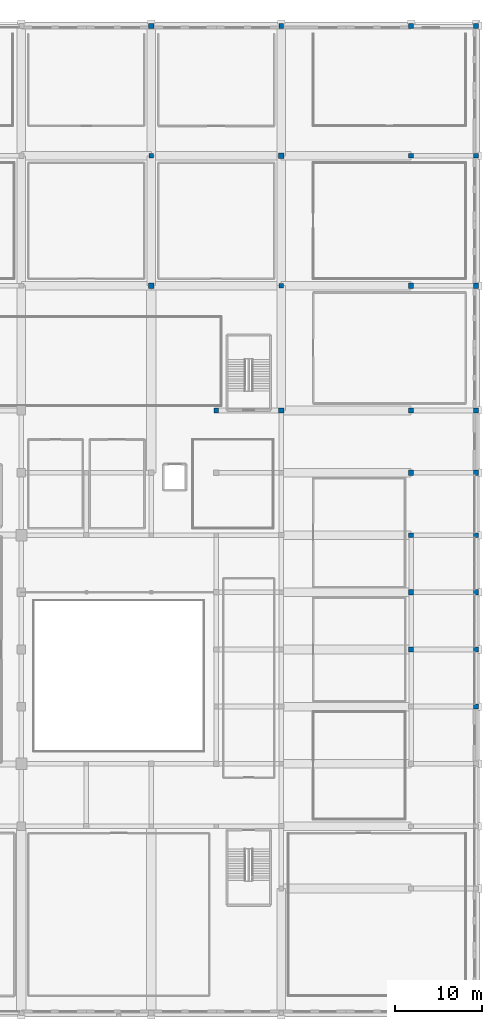
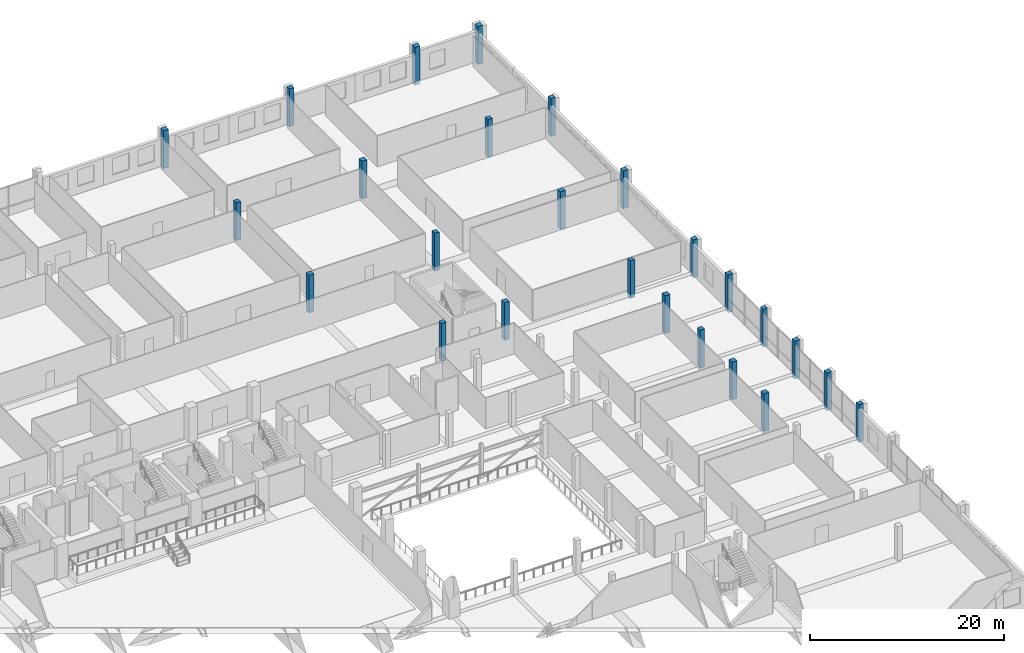
# One storey, part 7 of 68: 25 columns.
"""IFC4 building model written with IfcOpenShell, lengths in metres."""

from ifc_helpers import new_model, si_unit, direction, frame, origin, origin_2d, place, context, subcontext, project, spatial, rectangle, extrude, material, material_profile, profile_set, type_object, element, save


model = new_model("IFC4")

# Units and contexts
model_context = context("Model", 3, precision=1e-05, world=origin(), true_north=direction((0.0, 1.0)))
body_context = subcontext(model_context, "Body", "Model", "MODEL_VIEW")
ifc_project = project(units=[si_unit("LENGTHUNIT", "METRE"), si_unit("AREAUNIT", "SQUARE_METRE"), si_unit("VOLUMEUNIT", "CUBIC_METRE"), si_unit("PLANEANGLEUNIT", "RADIAN"), si_unit("MASSUNIT", "GRAM", prefix="KILO")], contexts=[model_context])

# Site, building, storey
site_placement = place(None, origin())
site = spatial("IfcSite", under=ifc_project, at=site_placement, CompositionType="ELEMENT")
building_placement = place(site_placement, origin())
building = spatial("IfcBuilding", under=site, at=building_placement, Name="Akrevak Sports Hall", CompositionType="ELEMENT")
storey_placement = place(building_placement, frame((0.0, 0.0, 9.39990234375)))
storey = spatial("IfcBuildingStorey", under=building, at=storey_placement, Name="L02", CompositionType="ELEMENT", Elevation=9.39990234375)

# Columns
ifc_material = material(Name="Concrete C40/50", Category="concrete")
ifc_material_profile_1 = material_profile(ifc_material, rectangle(XDim=0.550048828125, YDim=0.550048828125, at=origin_2d()), Name="RC 550x550", Category="concrete")
ifc_profile_set_1 = profile_set([ifc_material_profile_1], Name="Concrete C40/50")
column_type_1 = type_object("IfcColumnType", Name="STR-COL-RC550", PredefinedType="COLUMN", material=ifc_profile_set_1)
for number, where, z_axis, x_axis, name in (
    (1, (130.5, 99.0, -0.449951171875), (0.0, 0.0, 1.0), (1.0, 0.0, 0.0), "Column 18/O (L02)"),
    (2, (138.0, 69.60009765625, -0.449951171875), (0.0, 0.0, 1.0), (1.0, 0.0, 0.0), "Column 19/K (L02)"),
    (3, (145.5, 84.0, -0.449951171875), (0.0, 0.0, 1.0), (1.0, 0.0, 0.0), "Column 20/M (L02)"),
    (4, (145.5, 114.0, -0.449951171875), (0.0, 0.0, 1.0), (1.0, 0.0, 0.0), "Column 20/Q (L02)"),
    (5, (160.5, 55.199951171875, -0.449951171875), (0.0, 0.0, 1.0), (1.0, 0.0, 0.0), "Column 22/I (L02)"),
    (6, (160.5, 69.60009765625, -0.449951171875), (0.0, 0.0, 1.0), (1.0, 0.0, 0.0), "Column 22/K (L02)"),
    (7, (160.5, 99.0, -0.449951171875), (0.0, 0.0, 1.0), (1.0, 0.0, 0.0), "Column 22/O (L02)"),
    (8, (168.0, 35.39990234375, -0.449951171875), (0.0, 0.0, 1.0), (1.0, 0.0, 0.0), "Column 23/F (L02)"),
    (9, (168.0, 55.199951171875, -0.449951171875), (0.0, 0.0, 1.0), (1.0, 0.0, 0.0), "Column 23/I (L02)"),
    (10, (168.0, 69.60009765625, -0.449951171875), (0.0, 0.0, 1.0), (1.0, 0.0, 0.0), "Column 23/K (L02)"),
    (11, (168.0, 99.0, -0.449951171875), (0.0, 0.0, 1.0), (1.0, 0.0, 0.0), "Column 23/O (L02)"),
):
    element("IfcColumn", number, at=place(storey_placement, frame(where, z_axis=z_axis, x_axis=x_axis)), inside=storey, type_object=column_type_1, Name=name, PredefinedType="COLUMN", context=body_context, shape_type="SweptSolid", body=[
        extrude(rectangle(XDim=0.550048828125, YDim=0.550048828125, at=origin_2d()), origin(), (0.0, 0.0, 1.0), 4.77001953125),
    ])
ifc_material_profile_2 = material_profile(ifc_material, rectangle(XDim=0.60009765625, YDim=0.60009765625, at=origin_2d()), Name="RC 600x600", Category="concrete")
ifc_profile_set_2 = profile_set([ifc_material_profile_2], Name="Concrete C40/50")
column_type_2 = type_object("IfcColumnType", Name="STR-COL-RC600", PredefinedType="COLUMN", material=ifc_profile_set_2)
for number, where, z_axis, x_axis, name in (
    (12, (130.5, 84.0, -0.449951171875), (0.0, 0.0, 1.0), (1.0, 0.0, 0.0), "Column 18/M (L02)"),
    (13, (130.5, 114.0, -0.449951171875), (0.0, 0.0, 1.0), (1.0, 0.0, 0.0), "Column 18/Q (L02)"),
    (14, (145.5, 69.60009765625, -0.449951171875), (0.0, 0.0, 1.0), (1.0, 0.0, 0.0), "Column 20/K (L02)"),
    (15, (145.5, 99.0, -0.449951171875), (0.0, 0.0, 1.0), (1.0, 0.0, 0.0), "Column 20/O (L02)"),
    (16, (160.5, 42.0, -0.449951171875), (0.0, 0.0, 1.0), (1.0, 0.0, 0.0), "Column 22/G (L02)"),
    (17, (160.5, 48.60009765625, -0.449951171875), (0.0, 0.0, 1.0), (1.0, 0.0, 0.0), "Column 22/H (L02)"),
    (18, (160.5, 62.39990234375, -0.449951171875), (0.0, 0.0, 1.0), (1.0, 0.0, 0.0), "Column 22/J (L02)"),
    (19, (160.5, 84.0, -0.449951171875), (0.0, 0.0, 1.0), (1.0, 0.0, 0.0), "Column 22/M (L02)"),
    (20, (160.5, 114.0, -0.449951171875), (0.0, 0.0, 1.0), (1.0, 0.0, 0.0), "Column 22/Q (L02)"),
    (21, (168.0, 42.0, -0.449951171875), (0.0, 0.0, 1.0), (1.0, 0.0, 0.0), "Column 23/G (L02)"),
    (22, (168.0, 48.60009765625, -0.449951171875), (0.0, 0.0, 1.0), (1.0, 0.0, 0.0), "Column 23/H (L02)"),
    (23, (168.0, 62.39990234375, -0.449951171875), (0.0, 0.0, 1.0), (1.0, 0.0, 0.0), "Column 23/J (L02)"),
    (24, (168.0, 84.0, -0.449951171875), (0.0, 0.0, 1.0), (1.0, 0.0, 0.0), "Column 23/M (L02)"),
    (25, (168.0, 114.0, -0.449951171875), (0.0, 0.0, 1.0), (1.0, 0.0, 0.0), "Column 23/Q (L02)"),
):
    element("IfcColumn", number, at=place(storey_placement, frame(where, z_axis=z_axis, x_axis=x_axis)), inside=storey, type_object=column_type_2, Name=name, PredefinedType="COLUMN", context=body_context, shape_type="SweptSolid", body=[
        extrude(rectangle(XDim=0.60009765625, YDim=0.60009765625, at=origin_2d()), origin(), (0.0, 0.0, 1.0), 4.77001953125),
    ])

save(model, "model.ifc")
